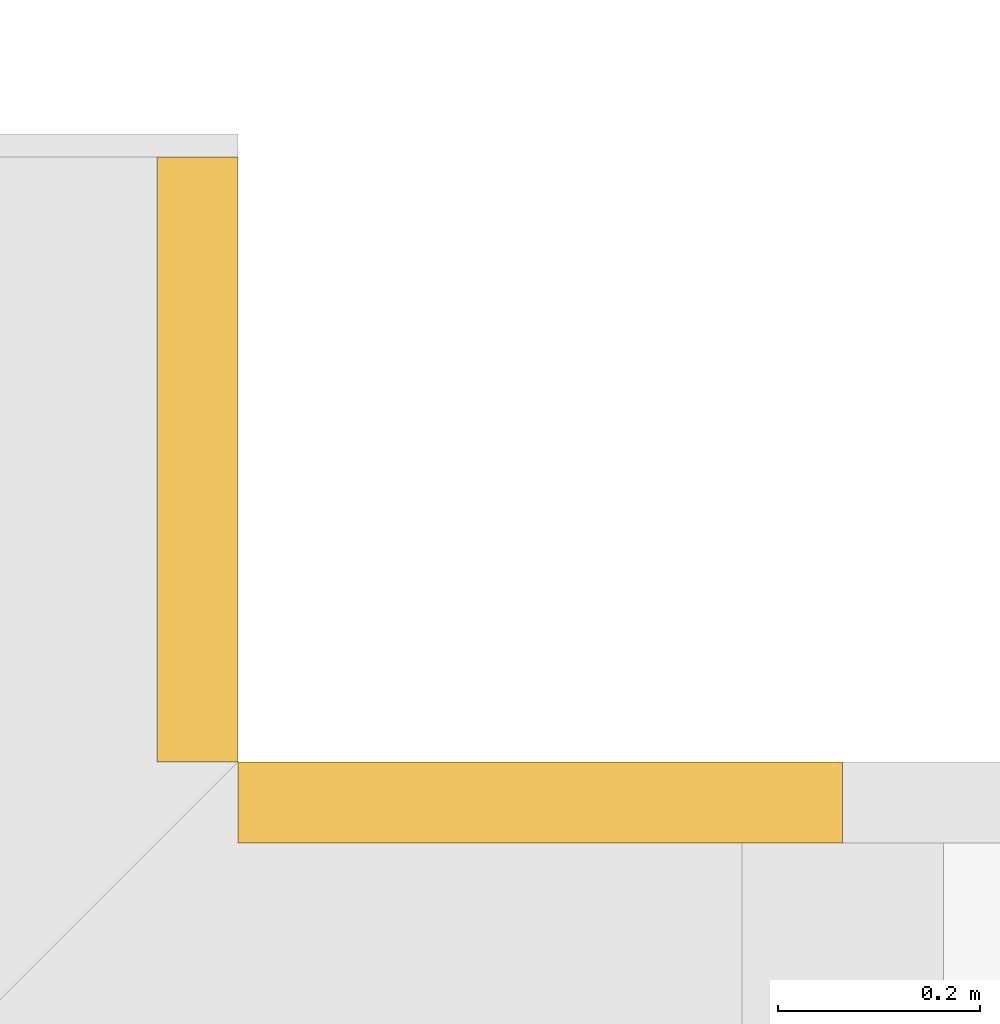
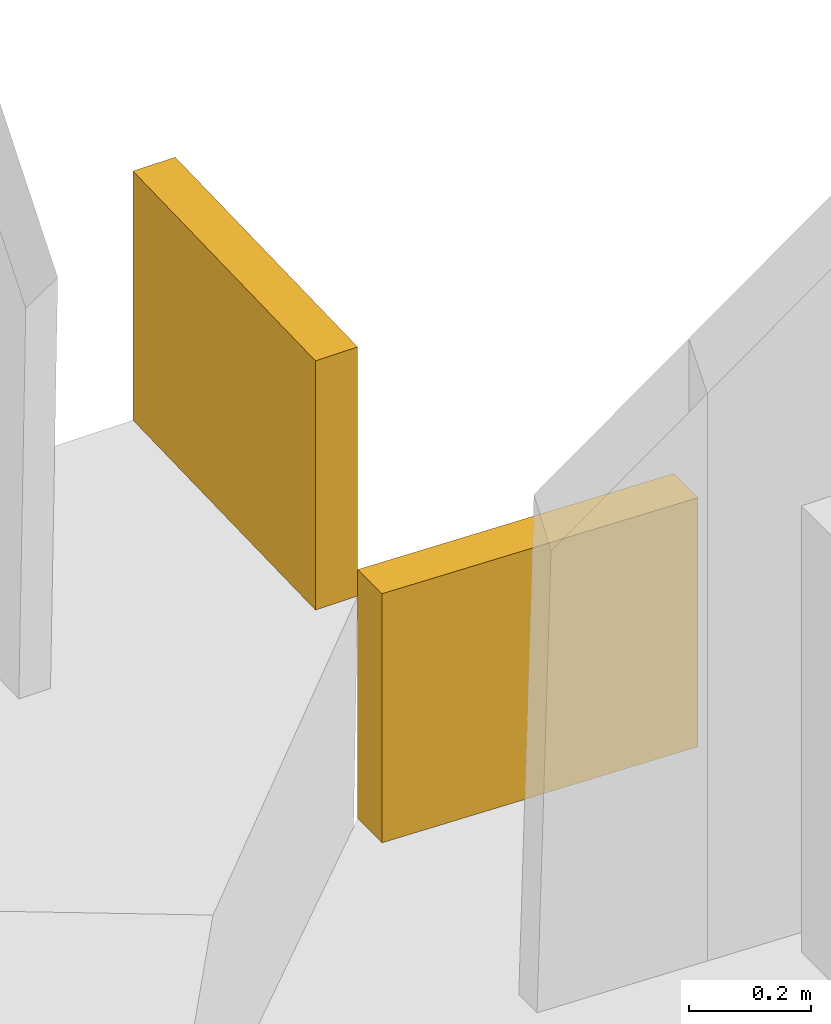
# One storey, part 27 of 27: 2 coverings.
"""IFC4 building model written with IfcOpenShell, lengths in metres."""

from ifc_helpers import new_model, si_unit, direction, frame, origin, place, context, subcontext, project, spatial, polyline, outline, extrude, material, layer, layer_set, type_object, element, save


model = new_model("IFC4")

# Units and contexts
model_context = context("Model", 3, precision=1e-05, world=origin(), true_north=direction((0.0, 1.0)))
body_context = subcontext(model_context, "Body", "Model", "MODEL_VIEW")
ifc_project = project(units=[si_unit("LENGTHUNIT", "METRE"), si_unit("AREAUNIT", "SQUARE_METRE"), si_unit("VOLUMEUNIT", "CUBIC_METRE"), si_unit("PLANEANGLEUNIT", "RADIAN"), si_unit("MASSUNIT", "GRAM", prefix="KILO")], contexts=[model_context])

# Site, building, storey
site_placement = place(None, origin())
site = spatial("IfcSite", under=ifc_project, at=site_placement, CompositionType="ELEMENT")
building_placement = place(site_placement, origin())
building = spatial("IfcBuilding", under=site, at=building_placement, Name="Saffron Gate Tower", CompositionType="ELEMENT")
storey_placement = place(building_placement, frame((0.0, 0.0, 76.800048828125)))
storey = spatial("IfcBuildingStorey", under=building, at=storey_placement, Name="L18", CompositionType="ELEMENT", Elevation=76.800048828125)

# Coverings
ifc_material = material(Name="Timber, thermally modified ash", Category="wood")
ifc_layer = layer(ifc_material, 0.080078125)
ifc_layer_set = layer_set([ifc_layer], Name="LD2 ledge planter trough")
covering_type = type_object("IfcCoveringType", Name="LD2 ledge planter trough", PredefinedType="CLADDING", material=ifc_layer_set)
covering_1_placement = place(storey_placement, frame((125.39990234375, 73.199951171875, 3.024658203125), z_axis=(0.0, 1.0, 0.0), x_axis=(-0.999582742162, 0.0, 0.028884971385)))
element("IfcCovering", 1, at=covering_1_placement, inside=storey, type_object=covering_type, Name="LEDGE planter trough", PredefinedType="CLADDING", context=body_context, shape_type="SweptSolid", body=[
    extrude(outline(polyline([(0.0, 0.0), (0.6001039136866089, 0.0), (0.614546399379222, 0.4997913710809928), (0.014442485692613144, 0.49979137108099286), (0.0, 0.0)])), origin(), (0.0, 0.0, -1.0), 0.080078125),
])
covering_2_placement = place(storey_placement, frame((124.800048828125, 73.199951171875, 3.48876953125), z_axis=(1.0, 0.0, 0.0), x_axis=(0.0, 0.999594735783, 0.028466896463)))
element("IfcCovering", 2, at=covering_2_placement, inside=storey, type_object=covering_type, Name="LEDGE planter trough", PredefinedType="CLADDING", context=body_context, shape_type="SweptSolid", body=[
    extrude(outline(polyline([(0.0, 0.0), (0.6003409529560203, 0.0), (0.6145744011872722, 0.499797367891677), (0.014233448231251987, 0.49979736789167695), (0.0, 0.0)])), origin(), (0.0, 0.0, -1.0), 0.080078125),
])

save(model, "model.ifc")
